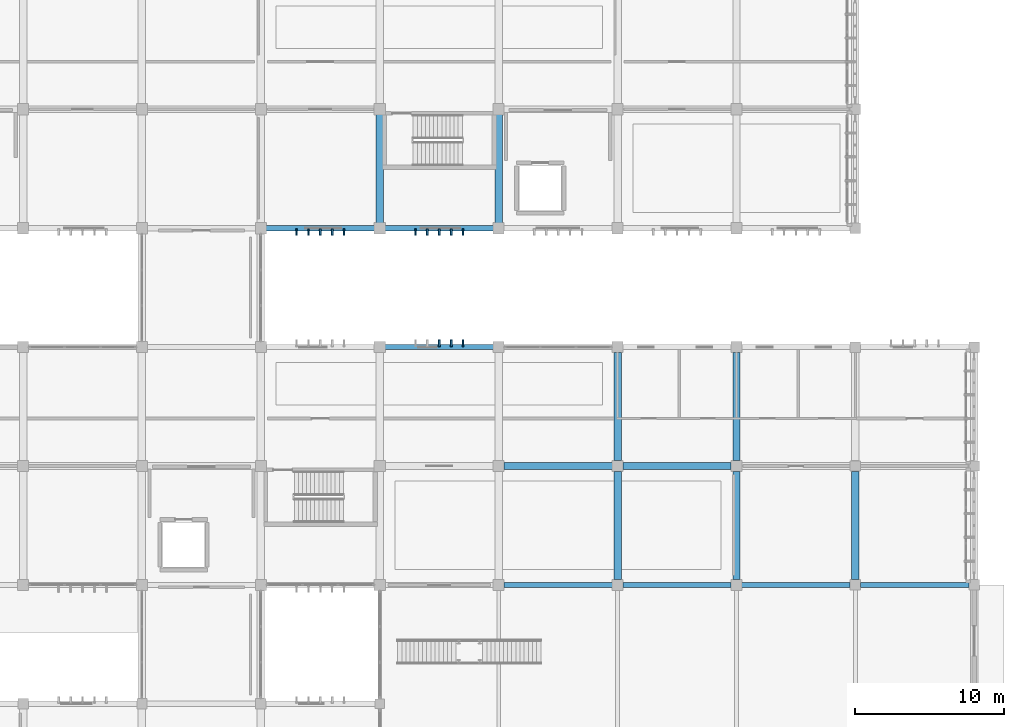
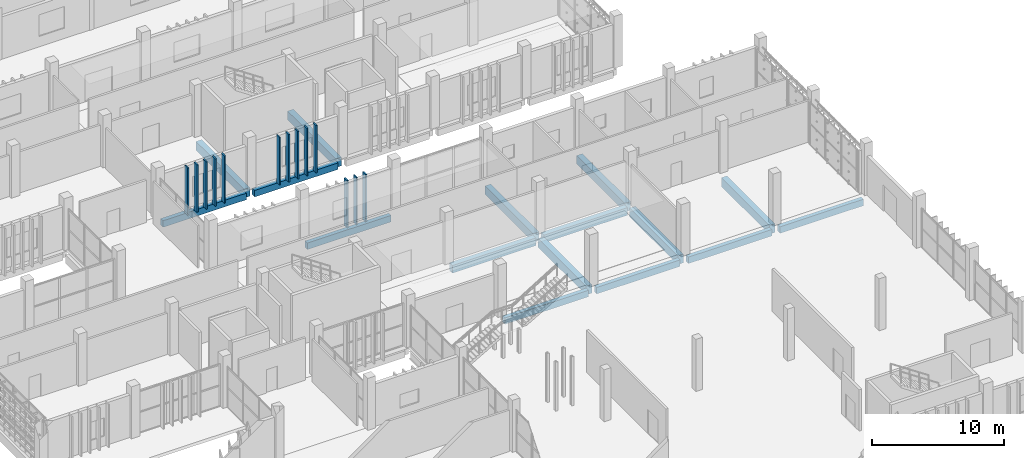
# One storey, part 65 of 117: 16 beams, 13 members.
"""IFC4 building model written with IfcOpenShell, lengths in metres."""

from ifc_helpers import new_model, si_unit, direction, frame, origin, origin_2d, place, context, subcontext, project, spatial, rectangle, extrude, material, material_profile, profile_set, type_object, element, save


model = new_model("IFC4")

# Units and contexts
model_context = context("Model", 3, precision=1e-05, world=origin(), true_north=direction((0.0, 1.0)))
body_context = subcontext(model_context, "Body", "Model", "MODEL_VIEW")
ifc_project = project(units=[si_unit("LENGTHUNIT", "METRE"), si_unit("AREAUNIT", "SQUARE_METRE"), si_unit("VOLUMEUNIT", "CUBIC_METRE"), si_unit("PLANEANGLEUNIT", "RADIAN"), si_unit("MASSUNIT", "GRAM", prefix="KILO")], contexts=[model_context])

# Site, building, storey
site_placement = place(None, origin())
site = spatial("IfcSite", under=ifc_project, at=site_placement, CompositionType="ELEMENT")
building_placement = place(site_placement, origin())
building = spatial("IfcBuilding", under=site, at=building_placement, Name="Jelvoka-Kovrelna Polytechnic", CompositionType="ELEMENT")
storey_placement = place(building_placement, origin())
storey = spatial("IfcBuildingStorey", under=building, at=storey_placement, Name="L01", CompositionType="ELEMENT", Elevation=0.0)

# Beams
ifc_material_1 = material(Name="Concrete C40/50", Category="concrete")
ifc_material_profile_1 = material_profile(ifc_material_1, rectangle(XDim=0.449951171875, YDim=0.699951171875, at=origin_2d()), Name="RC 450x700")
ifc_profile_set_1 = profile_set([ifc_material_profile_1], Name="Concrete C40/50")
beam_type_1 = type_object("IfcBeamType", Name="Beam_RC_450x700", PredefinedType="BEAM", material=ifc_profile_set_1)
for number, where, z_axis, x_axis, name in (
    (1, (168.35498046875, 40.0, -0.7548828125), (1.0, 0.0, 0.0), (0.0, 1.0, 0.0), "L01 beam 0410"),
    (2, (176.35498046875, 40.0, -0.7548828125), (1.0, 0.0, 0.0), (0.0, 1.0, 0.0), "L01 beam 0411"),
):
    element("IfcBeam", number, at=place(storey_placement, frame(where, z_axis=z_axis, x_axis=x_axis)), inside=storey, type_object=beam_type_1, Name=name, PredefinedType="BEAM", context=body_context, shape_type="SweptSolid", body=[
        extrude(rectangle(XDim=0.449951171875, YDim=0.699951171875, at=origin_2d()), origin(), (0.0, 0.0, 1.0), 7.2900390625),
    ])
ifc_material_2 = material(Name="Concrete C40/50", Category="concrete")
ifc_material_profile_2 = material_profile(ifc_material_2, rectangle(XDim=0.5, YDim=0.800048828125, at=origin_2d()), Name="RC 500x800")
ifc_profile_set_2 = profile_set([ifc_material_profile_2], Name="Concrete C40/50")
beam_type_2 = type_object("IfcBeamType", Name="Beam_RC_500x800", PredefinedType="BEAM", material=ifc_profile_set_2)
for number, where, z_axis, x_axis, name in (
    (3, (176.0, 32.35498046875, -0.804931640625), (0.0, 1.0, 0.0), (-1.0, 0.0, 0.0), "L01 beam 0435"),
    (4, (176.0, 40.35498046875, -0.804931640625), (0.0, 1.0, 0.0), (-1.0, 0.0, 0.0), "L01 beam 0436"),
    (5, (184.0, 32.35498046875, -0.804931640625), (0.0, 1.0, 0.0), (-1.0, 0.0, 0.0), "L01 beam 0437"),
    (6, (184.0, 40.35498046875, -0.804931640625), (0.0, 1.0, 0.0), (-1.0, 0.0, 0.0), "L01 beam 0438"),
    (7, (192.0, 32.35498046875, -0.804931640625), (0.0, 1.0, 0.0), (-1.0, 0.0, 0.0), "L01 beam 0439"),
    (8, (160.0, 56.35498046875, -0.804931640625), (0.0, 1.0, 0.0), (-1.0, 0.0, 0.0), "L01 beam 0513"),
    (9, (168.0, 56.35498046875, -0.804931640625), (0.0, 1.0, 0.0), (-1.0, 0.0, 0.0), "L01 beam 0515"),
):
    element("IfcBeam", number, at=place(storey_placement, frame(where, z_axis=z_axis, x_axis=x_axis)), inside=storey, type_object=beam_type_2, Name=name, PredefinedType="BEAM", context=body_context, shape_type="SweptSolid", body=[
        extrude(rectangle(XDim=0.5, YDim=0.800048828125, at=origin_2d()), origin(), (0.0, 0.0, 1.0), 7.2900390625),
    ])

# Members
ifc_material_3 = material(Name="Precast concrete C40/50", Category="concrete")
ifc_material_profile_3 = material_profile(ifc_material_3, rectangle(XDim=0.1201171875, YDim=0.449951171875, at=origin_2d()), Name="PC 120x450")
ifc_profile_set_3 = profile_set([ifc_material_profile_3], Name="Precast concrete C40/50")
member_type = type_object("IfcMemberType", Name="Louvre_Fin_120x450", PredefinedType="USERDEFINED", material=ifc_profile_set_3)
for number, where, z_axis, x_axis, name in (
    (10, (164.0, 48.264892578125, -0.419921875), (0.0, 0.0, 1.0), (1.0, 0.0, 0.0), "L01 B2E north vertical solar louvre fin 0893"),
    (11, (164.800048828125, 48.264892578125, -0.419921875), (0.0, 0.0, 1.0), (1.0, 0.0, 0.0), "L01 B2E north vertical solar louvre fin 0894"),
    (12, (165.60009765625, 48.264892578125, -0.419921875), (0.0, 0.0, 1.0), (1.0, 0.0, 0.0), "L01 B2E north vertical solar louvre fin 0895"),
    (13, (154.39990234375, 55.735107421875, -0.419921875), (0.0, 0.0, 1.0), (1.0, 0.0, 0.0), "L01 B3 south vertical solar louvre fin 1281"),
    (14, (155.199951171875, 55.735107421875, -0.419921875), (0.0, 0.0, 1.0), (1.0, 0.0, 0.0), "L01 B3 south vertical solar louvre fin 1282"),
    (15, (156.0, 55.735107421875, -0.419921875), (0.0, 0.0, 1.0), (1.0, 0.0, 0.0), "L01 B3 south vertical solar louvre fin 1283"),
    (16, (156.800048828125, 55.735107421875, -0.419921875), (0.0, 0.0, 1.0), (1.0, 0.0, 0.0), "L01 B3 south vertical solar louvre fin 1284"),
    (17, (157.60009765625, 55.735107421875, -0.419921875), (0.0, 0.0, 1.0), (1.0, 0.0, 0.0), "L01 B3 south vertical solar louvre fin 1285"),
    (18, (162.39990234375, 55.735107421875, -0.419921875), (0.0, 0.0, 1.0), (1.0, 0.0, 0.0), "L01 B3 south vertical solar louvre fin 1286"),
    (19, (163.199951171875, 55.735107421875, -0.419921875), (0.0, 0.0, 1.0), (1.0, 0.0, 0.0), "L01 B3 south vertical solar louvre fin 1287"),
    (20, (164.0, 55.735107421875, -0.419921875), (0.0, 0.0, 1.0), (1.0, 0.0, 0.0), "L01 B3 south vertical solar louvre fin 1288"),
    (21, (164.800048828125, 55.735107421875, -0.419921875), (0.0, 0.0, 1.0), (1.0, 0.0, 0.0), "L01 B3 south vertical solar louvre fin 1289"),
    (22, (165.60009765625, 55.735107421875, -0.419921875), (0.0, 0.0, 1.0), (1.0, 0.0, 0.0), "L01 B3 south vertical solar louvre fin 1290"),
):
    element("IfcMember", number, at=place(storey_placement, frame(where, z_axis=z_axis, x_axis=x_axis)), inside=storey, type_object=member_type, Name=name, ObjectType="SUNSHADE", PredefinedType="USERDEFINED", context=body_context, shape_type="SweptSolid", body=[
        extrude(rectangle(XDim=0.1201171875, YDim=0.449951171875, at=origin_2d()), origin(), (0.0, 0.0, 1.0), 4.3798828125),
    ])

# Beams
ifc_material_4 = material(Name="Concrete C40/50", Category="concrete")
ifc_material_profile_4 = material_profile(ifc_material_4, rectangle(XDim=0.35009765625, YDim=0.60009765625, at=origin_2d()), Name="RC 350x600")
ifc_profile_set_4 = profile_set([ifc_material_profile_4], Name="Concrete C40/50")
beam_type_3 = type_object("IfcBeamType", Name="Spandrel_RC_350x600", PredefinedType="SPANDREL", material=ifc_profile_set_4)
for number, where, z_axis, x_axis, name in (
    (23, (168.35498046875, 32.0, -0.7099609375), (1.0, 0.0, 0.0), (0.0, 1.0, 0.0), "L01 beam 0147"),
    (24, (176.35498046875, 32.0, -0.7099609375), (1.0, 0.0, 0.0), (0.0, 1.0, 0.0), "L01 beam 0150"),
    (25, (184.35498046875, 32.0, -0.7099609375), (1.0, 0.0, 0.0), (0.0, 1.0, 0.0), "L01 beam 0153"),
    (26, (192.35498046875, 32.0, -0.7099609375), (1.0, 0.0, 0.0), (0.0, 1.0, 0.0), "L01 beam 0156"),
    (27, (160.35498046875, 48.0, -0.705078125), (1.0, 0.0, 0.0), (0.0, 1.0, 0.0), "L01 beam 0418"),
    (28, (152.35498046875, 56.0, -0.705078125), (1.0, 0.0, 0.0), (0.0, 1.0, 0.0), "L01 beam 0480"),
    (29, (160.35498046875, 56.0, -0.705078125), (1.0, 0.0, 0.0), (0.0, 1.0, 0.0), "L01 beam 0481"),
):
    element("IfcBeam", number, at=place(storey_placement, frame(where, z_axis=z_axis, x_axis=x_axis)), inside=storey, type_object=beam_type_3, Name=name, PredefinedType="SPANDREL", context=body_context, shape_type="SweptSolid", body=[
        extrude(rectangle(XDim=0.35009765625, YDim=0.60009765625, at=origin_2d()), origin(), (0.0, 0.0, 1.0), 7.2900390625),
    ])

save(model, "model.ifc")
